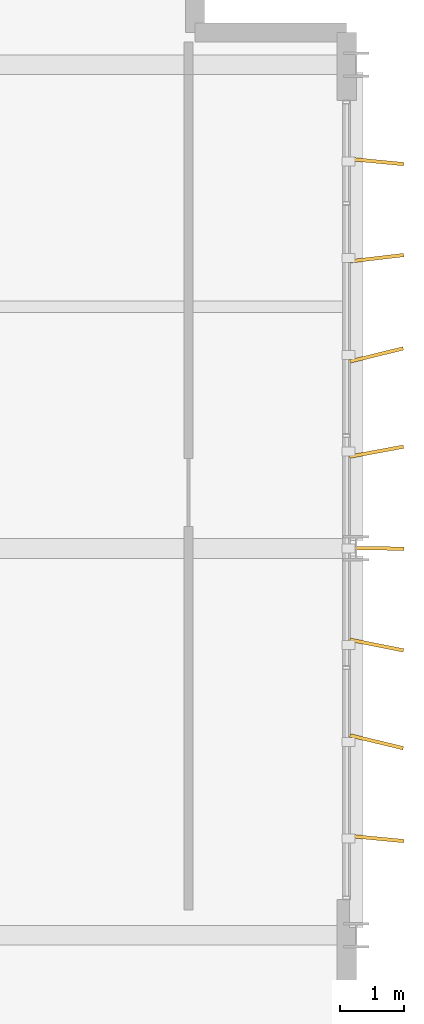
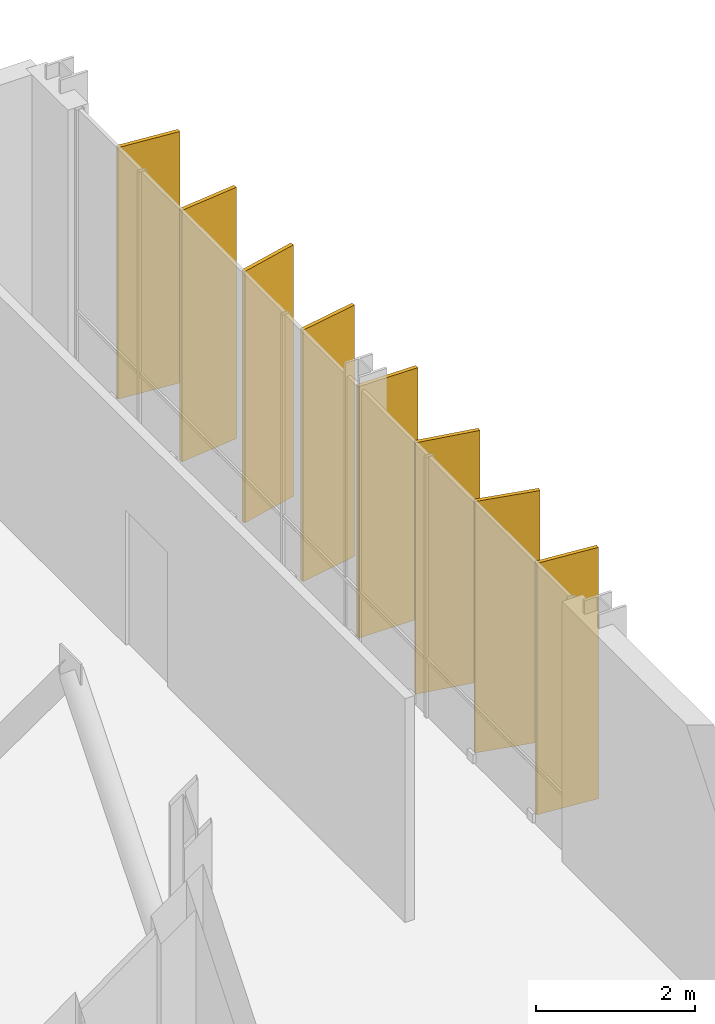
# One storey, part 33 of 33: 8 shading devices.
"""IFC4 building model written with IfcOpenShell, lengths in metres."""

from ifc_helpers import new_model, si_unit, direction, frame, origin, origin_2d, place, context, subcontext, project, spatial, rectangle, extrude, material, layer, layer_set, type_object, element, save


model = new_model("IFC4")

# Units and contexts
model_context = context("Model", 3, precision=1e-05, world=origin(), true_north=direction((0.0, 1.0)))
body_context = subcontext(model_context, "Body", "Model", "MODEL_VIEW")
ifc_project = project(units=[si_unit("LENGTHUNIT", "METRE"), si_unit("AREAUNIT", "SQUARE_METRE"), si_unit("VOLUMEUNIT", "CUBIC_METRE"), si_unit("PLANEANGLEUNIT", "RADIAN"), si_unit("MASSUNIT", "GRAM", prefix="KILO")], contexts=[model_context])

# Site, building, storey
site_placement = place(None, origin())
site = spatial("IfcSite", under=ifc_project, at=site_placement, CompositionType="ELEMENT")
building_placement = place(site_placement, origin())
building = spatial("IfcBuilding", under=site, at=building_placement, Name="Brevholm Reach", CompositionType="ELEMENT")
storey_placement = place(building_placement, frame((0.0, 0.0, 179.0)))
storey = spatial("IfcBuildingStorey", under=building, at=storey_placement, Name="L54", CompositionType="ELEMENT", Elevation=179.0)

# Shading devices
ifc_material = material(Name="Perforated Champagne-Bronze Anodised Aluminium", Category="aluminium")
ifc_layer = layer(ifc_material, 0.054931640625)
ifc_layer_set = layer_set([ifc_layer], Name="Perforated Champagne-Bronze Anodised Aluminium")
shading_device_type = type_object("IfcShadingDeviceType", Name="SHD-FIN-850", PredefinedType="USERDEFINED", material=ifc_layer_set)
for number, where, z_axis, x_axis, name in (
    (1, (60.31494140625, 11.5, 0.070068359375), (0.0, 0.0, 1.0), (0.995466189531, -0.095116063311, 0.0), "L54 Perforated Solar Screen Fin 1"),
    (2, (60.31494140625, 13.0, 0.070068359375), (0.0, 0.0, 1.0), (0.972443211436, -0.233139873321, 0.0), "L54 Perforated Solar Screen Fin 2"),
    (3, (60.31494140625, 14.5, 0.070068359375), (0.0, 0.0, 1.0), (0.980426111978, -0.196887376316, 0.0), "L54 Perforated Solar Screen Fin 3"),
    (4, (60.31494140625, 16.0, 0.070068359375), (0.0, 0.0, 1.0), (0.999930193313, -0.011815604092, 0.0), "L54 Perforated Solar Screen Fin 4"),
    (5, (60.31494140625, 17.5, 0.070068359375), (0.0, 0.0, 1.0), (0.983219902734, 0.182424293523, 0.0), "L54 Perforated Solar Screen Fin 5"),
    (6, (60.31494140625, 19.0, 0.070068359375), (0.0, 0.0, 1.0), (0.971200853151, 0.238262256431, 0.0), "L54 Perforated Solar Screen Fin 6"),
    (7, (60.31494140625, 20.5, 0.070068359375), (0.0, 0.0, 1.0), (0.993217404152, 0.116272043459, 0.0), "L54 Perforated Solar Screen Fin 7"),
    (8, (60.31494140625, 22.0, 0.070068359375), (0.0, 0.0, 1.0), (0.995466189531, -0.095116063311, 0.0), "L54 Perforated Solar Screen Fin 8"),
):
    element("IfcShadingDevice", number, at=place(storey_placement, frame(where, z_axis=z_axis, x_axis=x_axis)), inside=storey, type_object=shading_device_type, Name=name, ObjectType="SCREEN", PredefinedType="USERDEFINED", context=body_context, shape_type="SweptSolid", body=[
        extrude(rectangle(XDim=0.85009765625, YDim=0.054931640625, at=origin_2d()), origin(), (0.0, 0.0, 1.0), 3.85009765625),
    ])

save(model, "model.ifc")
